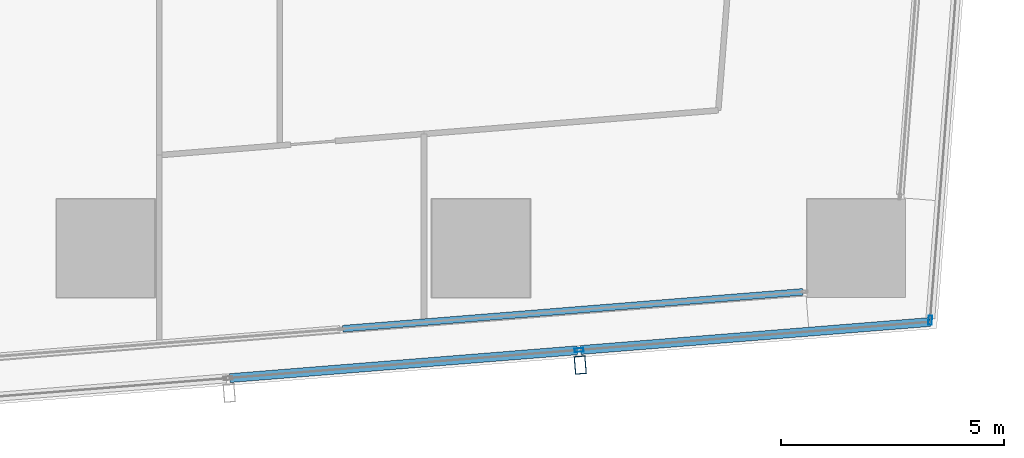
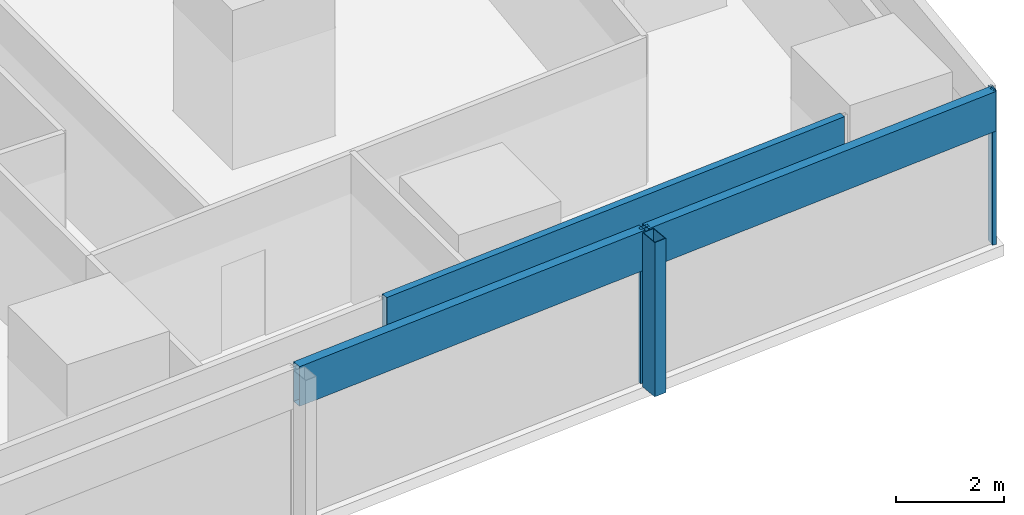
# One storey, part 11 of 45: 6 members, 3 elements without a shape of their own.
"""IFC4 building model written with IfcOpenShell, lengths in metres."""

from ifc_helpers import new_model, si_unit, direction, frame, origin, origin_2d, place, context, subcontext, project, spatial, hollow_rectangle, extrude, material, material_profile, profile_set, type_object, element, aggregate, save


model = new_model("IFC4")

# Units and contexts
model_context = context("Model", 3, precision=1e-05, world=origin(), true_north=direction((0.0, 1.0)))
body_context = subcontext(model_context, "Body", "Model", "MODEL_VIEW")
ifc_project = project(units=[si_unit("LENGTHUNIT", "METRE"), si_unit("AREAUNIT", "SQUARE_METRE"), si_unit("VOLUMEUNIT", "CUBIC_METRE"), si_unit("PLANEANGLEUNIT", "RADIAN"), si_unit("MASSUNIT", "GRAM", prefix="KILO")], contexts=[model_context])

# Site, building, storey
site_placement = place(None, origin())
site = spatial("IfcSite", under=ifc_project, at=site_placement, CompositionType="ELEMENT")
building_placement = place(site_placement, origin())
building = spatial("IfcBuilding", under=site, at=building_placement, Name="Rekha Terrace Tower", CompositionType="ELEMENT")
storey_placement = place(building_placement, frame((0.0, 0.0, 44.14990234375)))
storey = spatial("IfcBuildingStorey", under=building, at=storey_placement, Name="L10", CompositionType="ELEMENT", Elevation=44.14990234375)

# Curtain wall, member
ifc_material_1 = material(Name="Aluminium framing", Category="aluminium")
curtain_wall_type_1 = type_object("IfcCurtainWallType", Name="CW2 double skin outer glazing", PredefinedType="USERDEFINED", material=ifc_material_1)
curtain_wall_1_placement = place(storey_placement, origin())
curtain_wall_1 = element("IfcCurtainWall", 1, at=curtain_wall_1_placement, inside=storey, type_object=curtain_wall_type_1, Name="CW2 double skin outer glazing", ObjectType="DOUBLE SKIN OUTER GLAZING", PredefinedType="USERDEFINED")
ifc_material_2 = material(Name="Steel S355 with fluorocarbon finish", Category="steel")
ifc_material_profile_1 = material_profile(ifc_material_2, hollow_rectangle(XDim=0.25, YDim=0.39990234375, WallThickness=0.012451171875, at=origin_2d()), Name="RHS400x250x12.5")
ifc_profile_set_1 = profile_set([ifc_material_profile_1], Name="Steel S355 with fluorocarbon finish")
member_type_1 = type_object("IfcMemberType", Name="BL1 facade blade RHS 400 x 250", PredefinedType="USERDEFINED", material=ifc_profile_set_1)
member_1_placement = place(storey_placement, frame((61.022705078125, 5.78515625, 0.0), z_axis=(0.0, 0.0, 1.0), x_axis=(0.996805139821, 0.079871855039, 0.0)))
member_1 = element("IfcMember", 2, at=member_1_placement, type_object=member_type_1, Name="Facade blade", ObjectType="FACADE BLADE", PredefinedType="USERDEFINED", context=body_context, shape_type="SweptSolid", body=[
    extrude(hollow_rectangle(XDim=0.25, YDim=0.39990234375, WallThickness=0.012451171875, at=origin_2d()), origin(), (0.0, 0.0, 1.0), 3.5),
])

curtain_wall_type_2 = type_object("IfcCurtainWallType", Name="CW1 double skin inner glazing", PredefinedType="USERDEFINED", material=ifc_material_1)
curtain_wall_2_placement = place(storey_placement, origin())
curtain_wall_2 = element("IfcCurtainWall", 3, at=curtain_wall_2_placement, inside=storey, type_object=curtain_wall_type_2, Name="CW1 double skin inner glazing", ObjectType="DOUBLE SKIN INNER GLAZING", PredefinedType="USERDEFINED")
ifc_material_3 = material(Name="Insulated aluminium spandrel box", Category="aluminium")
ifc_material_profile_2 = material_profile(ifc_material_3, hollow_rectangle(XDim=0.14990234375, YDim=0.89990234375, WallThickness=0.0029296875, at=origin_2d()), Name="AL SPANDREL BOX 150x900")
ifc_profile_set_2 = profile_set([ifc_material_profile_2], Name="Insulated aluminium spandrel box")
member_type_2 = type_object("IfcMemberType", Name="CW1 spandrel transom 150 x 900", PredefinedType="USERDEFINED", material=ifc_profile_set_2)
member_2_placement = place(storey_placement, frame((55.704345703125, 6.59814453125, 3.050048828125), z_axis=(0.996806184606, 0.079858814989, 0.0), x_axis=(-0.079858814989, 0.996806184606, 0.0)))
member_2 = element("IfcMember", 4, at=member_2_placement, type_object=member_type_2, Name="CW1 spandrel transom 2", ObjectType="TRANSOM", PredefinedType="USERDEFINED", context=body_context, shape_type="SweptSolid", body=[
    extrude(hollow_rectangle(XDim=0.14990234375, YDim=0.89990234375, WallThickness=0.0029296875, at=origin_2d()), origin(), (0.0, 0.0, 1.0), 10.336181640625),
])
aggregate(curtain_wall_2, [member_2])

# Member
ifc_material_4 = material(Name="Aluminium mullion section", Category="aluminium")
ifc_material_profile_3 = material_profile(ifc_material_4, hollow_rectangle(XDim=0.080078125, YDim=0.199951171875, WallThickness=0.00390625, at=origin_2d()), Name="AL RHS 80x200")
ifc_profile_set_3 = profile_set([ifc_material_profile_3], Name="Aluminium mullion section")
member_type_3 = type_object("IfcMemberType", Name="CW2 mullion RHS 80 x 200", PredefinedType="MULLION", material=ifc_profile_set_3)
member_3_placement = place(storey_placement, frame((60.99609375, 6.119140625, 0.0), z_axis=(0.0, 0.0, 1.0), x_axis=(-0.079872204468, 0.996805111821, 0.0)))
member_3 = element("IfcMember", 5, at=member_3_placement, type_object=member_type_3, Name="CW2 mullion 3", PredefinedType="MULLION", context=body_context, shape_type="SweptSolid", body=[
    extrude(hollow_rectangle(XDim=0.080078125, YDim=0.199951171875, WallThickness=0.00390625, at=origin_2d()), origin(), (0.0, 0.0, 1.0), 3.5),
])

# Curtain wall, member
curtain_wall_3_placement = place(storey_placement, origin())
curtain_wall_3 = element("IfcCurtainWall", 6, at=curtain_wall_3_placement, inside=storey, type_object=curtain_wall_type_1, Name="CW2 double skin outer glazing", ObjectType="DOUBLE SKIN OUTER GLAZING", PredefinedType="USERDEFINED")
member_4_placement = place(storey_placement, frame((68.8544921875, 6.78857421875, 0.0), z_axis=(0.0, 0.0, 1.0), x_axis=(-0.996865392575, 0.079116301017, 0.0)))
member_4 = element("IfcMember", 7, at=member_4_placement, type_object=member_type_3, Name="CW2 mullion 1", PredefinedType="MULLION", context=body_context, shape_type="SweptSolid", body=[
    extrude(hollow_rectangle(XDim=0.080078125, YDim=0.199951171875, WallThickness=0.00390625, at=origin_2d()), origin(), (0.0, 0.0, 1.0), 3.5),
])
aggregate(curtain_wall_3, [member_4])

# Member
ifc_material_profile_4 = material_profile(ifc_material_3, hollow_rectangle(XDim=0.199951171875, YDim=0.89990234375, WallThickness=0.0029296875, at=origin_2d()), Name="AL SPANDREL BOX 200x900")
ifc_profile_set_4 = profile_set([ifc_material_profile_4], Name="Insulated aluminium spandrel box")
member_type_4 = type_object("IfcMemberType", Name="CW2 spandrel transom 200 x 900", PredefinedType="USERDEFINED", material=ifc_profile_set_4)
member_5_placement = place(storey_placement, frame((53.1806640625, 5.492919921875, 3.050048828125), z_axis=(0.996804920132, 0.079874596715, 0.0), x_axis=(-0.079874596715, 0.996804920132, 0.0)))
member_5 = element("IfcMember", 8, at=member_5_placement, type_object=member_type_4, Name="CW2 spandrel transom 2", ObjectType="TRANSOM", PredefinedType="USERDEFINED", context=body_context, shape_type="SweptSolid", body=[
    extrude(hollow_rectangle(XDim=0.199951171875, YDim=0.89990234375, WallThickness=0.0029296875, at=origin_2d()), origin(), (0.0, 0.0, 1.0), 7.80029296875),
])

member_6_placement = place(storey_placement, frame((61.035888671875, 6.122314453125, 3.050048828125), z_axis=(0.996805270739, 0.07987022115, 0.0), x_axis=(-0.07987022115, 0.996805270739, 0.0)))
member_6 = element("IfcMember", 9, at=member_6_placement, type_object=member_type_4, Name="CW2 spandrel transom 3", ObjectType="TRANSOM", PredefinedType="USERDEFINED", context=body_context, shape_type="SweptSolid", body=[
    extrude(hollow_rectangle(XDim=0.199951171875, YDim=0.89990234375, WallThickness=0.0029296875, at=origin_2d()), origin(), (0.0, 0.0, 1.0), 7.840576171875),
])

aggregate(curtain_wall_1, [member_3, member_5, member_6, member_1])

save(model, "model.ifc")
